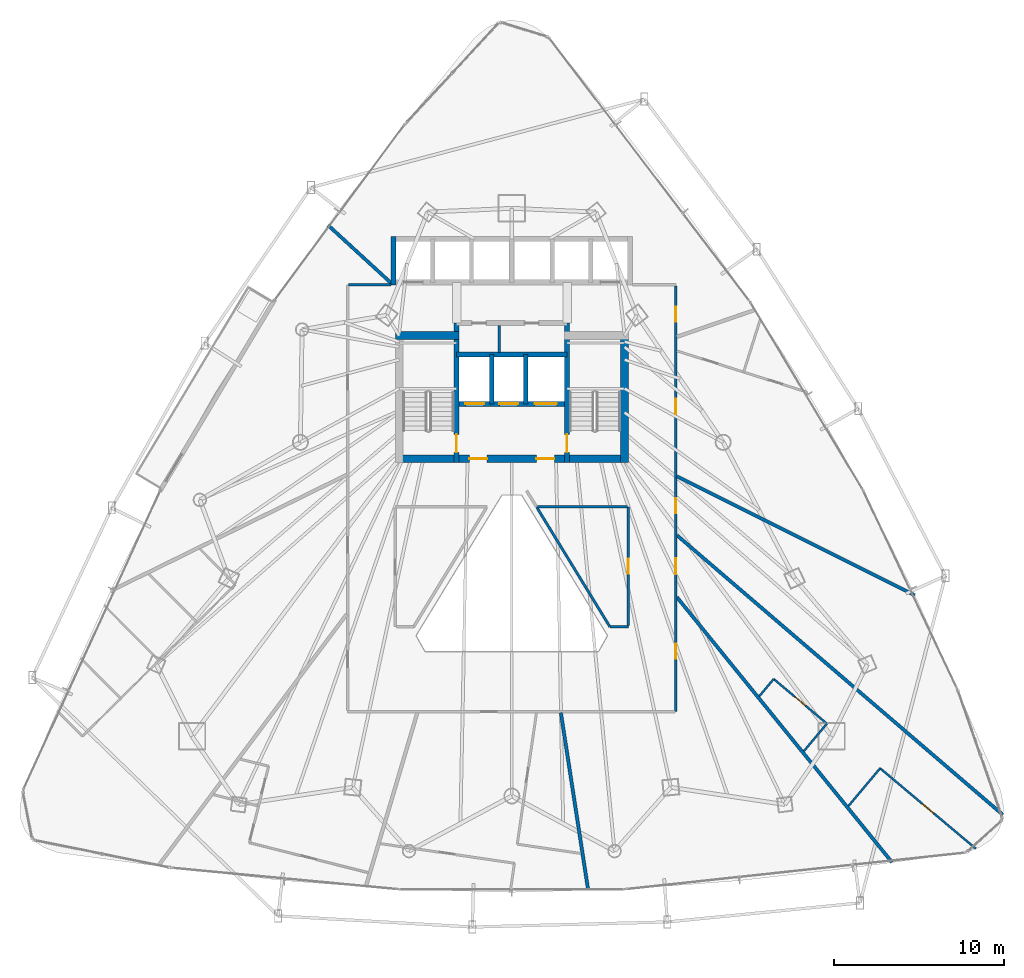
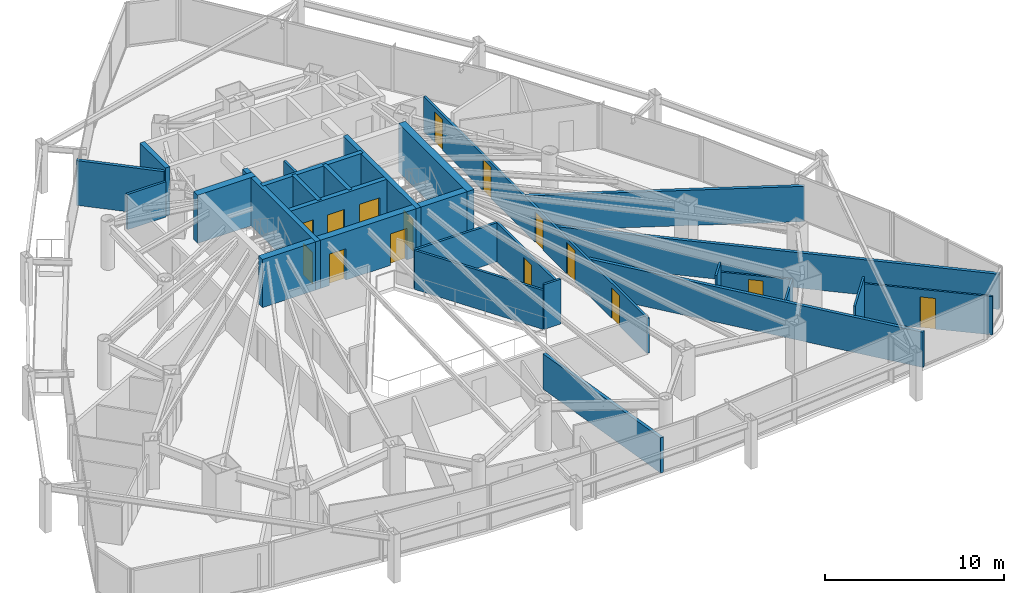
# One storey, part 30 of 35: 27 walls, 15 doors, 15 openings.
"""IFC4 building model written with IfcOpenShell, lengths in metres."""

from ifc_helpers import new_model, si_unit, direction, frame, frame_2d, origin, place, context, subcontext, project, spatial, rectangle, extrude, material, layer, layer_set, type_object, element, fill, save


model = new_model("IFC4")

# Units and contexts
model_context = context("Model", 3, precision=1e-05, world=origin(), true_north=direction((0.0, 1.0)))
body_context = subcontext(model_context, "Body", "Model", "MODEL_VIEW")
ifc_project = project(units=[si_unit("LENGTHUNIT", "METRE"), si_unit("AREAUNIT", "SQUARE_METRE"), si_unit("VOLUMEUNIT", "CUBIC_METRE"), si_unit("PLANEANGLEUNIT", "RADIAN"), si_unit("MASSUNIT", "GRAM", prefix="KILO")], contexts=[model_context])

# Site, building, storey
site_placement = place(None, origin())
site = spatial("IfcSite", under=ifc_project, at=site_placement, CompositionType="ELEMENT")
building_placement = place(site_placement, origin())
building = spatial("IfcBuilding", under=site, at=building_placement, Name="Orvanel Arch Residences", CompositionType="ELEMENT")
storey_placement = place(building_placement, frame((0.0, 0.0, 33.5)))
storey = spatial("IfcBuildingStorey", under=building, at=storey_placement, Name="L08", CompositionType="ELEMENT", Elevation=33.5)

# Walls
ifc_material_1 = material(Name="Concrete N50 (50 MPa)", Category="concrete")
ifc_layer_1 = layer(ifc_material_1, 0.25)
ifc_layer_set_1 = layer_set([ifc_layer_1], Name="Concrete N50 (50 MPa)")
wall_type_1 = type_object("IfcWallType", Name="SW-CORE-250", PredefinedType="SHEAR", material=ifc_layer_set_1)
for number, where, z_axis, x_axis, name in (
    (1, (31.824951171875, 29.89990234375, 0.0), (0.0, 0.0, 1.0), (0.0, 1.0, 0.0), "L08 Emergency Lift Inter-Shaft Wall F12"),
    (2, (33.824951171875, 29.89990234375, 0.0), (0.0, 0.0, 1.0), (0.0, 1.0, 0.0), "L08 Emergency Lift Inter-Shaft Wall F2G"),
):
    element("IfcWall", number, at=place(storey_placement, frame(where, z_axis=z_axis, x_axis=x_axis)), inside=storey, type_object=wall_type_1, Name=name, PredefinedType="SHEAR", context=body_context, shape_type="SweptSolid", body=[
        extrude(rectangle(XDim=2.900146484375, YDim=0.25, at=frame_2d((1.4501953125, 0.0))), origin(), (0.0, 0.0, 1.0), 3.300048828125),
    ])

# Wall, opening, door
ifc_material_2 = material(Name="Concrete S80 (80 MPa)", Category="concrete")
ifc_layer_2 = layer(ifc_material_2, 0.300048828125)
ifc_layer_set_2 = layer_set([ifc_layer_2], Name="Concrete S80 (80 MPa)")
wall_type_2 = type_object("IfcWallType", Name="SW-CORE-300", PredefinedType="SHEAR", material=ifc_layer_set_2)
wall_1_placement = place(storey_placement, frame((29.75, 26.449951171875, 0.0), z_axis=(0.0, 0.0, 1.0), x_axis=(0.0, 1.0, 0.0)))
wall_1 = element("IfcWall", 3, at=wall_1_placement, inside=storey, type_object=wall_type_2, Name="L08 West Inner Core Spine Shear Wall", PredefinedType="SHEAR", context=body_context, shape_type="SweptSolid", body=[
    extrude(rectangle(XDim=8.199951171875, YDim=0.300048828125, at=frame_2d((4.10009765625, 0.0))), origin(), (0.0, 0.0, 1.0), 3.300048828125),
])
opening_1_placement = place(wall_1_placement, frame((0.60009765625, 0.0, 0.0)))
opening_1 = element("IfcOpeningElement", 4, at=opening_1_placement, cuts=wall_1, Name="Opening DF-120", PredefinedType="OPENING", context=body_context, shape_type="SweptSolid", body=[
    extrude(rectangle(XDim=1.050048828125, YDim=2.14990234375, at=frame_2d((0.52490234375, 1.074951171875))), frame((0.0, 0.159912109375, 0.0), z_axis=(0.0, -1.0, 0.0), x_axis=(1.0, 0.0, 0.0)), (0.0, 0.0, 1.0), 0.320068359375),
])
ifc_material_3 = material(Name="Galvanised steel fire-resisting door assembly", Category="steel")
door_type_1 = type_object("IfcDoorType", Name="DR-FD120-1050", OperationType="NOTDEFINED", PredefinedType="DOOR", material=ifc_material_3)
door_1_placement = place(opening_1_placement, origin())
door_1 = element("IfcDoor", 5, at=door_1_placement, inside=storey, type_object=door_type_1, Name="DR-L08-ST1 L08 Stair 1 Fire Door", OperationType="SINGLE_SWING_LEFT", OverallHeight=2.14990234375, OverallWidth=1.050048828125, PredefinedType="DOOR", context=body_context, shape_type="SweptSolid", body=[
    extrude(rectangle(XDim=1.050048828125, YDim=2.14990234375, at=frame_2d((0.52490234375, 1.074951171875))), frame((0.0, 0.02490234375, 0.0), z_axis=(0.0, -1.0, 0.0), x_axis=(1.0, 0.0, 0.0)), (0.0, 0.0, 1.0), 0.050048828125),
])
fill(opening_1, door_1)

wall_2_placement = place(storey_placement, frame((36.25, 26.449951171875, 0.0), z_axis=(0.0, 0.0, 1.0), x_axis=(0.0, 1.0, 0.0)))
wall_2 = element("IfcWall", 6, at=wall_2_placement, inside=storey, type_object=wall_type_2, Name="L08 East Inner Core Spine Shear Wall", PredefinedType="SHEAR", context=body_context, shape_type="SweptSolid", body=[
    extrude(rectangle(XDim=8.199951171875, YDim=0.300048828125, at=frame_2d((4.10009765625, 0.0))), origin(), (0.0, 0.0, 1.0), 3.300048828125),
])
opening_2_placement = place(wall_2_placement, frame((0.60009765625, 0.0, 0.0)))
opening_2 = element("IfcOpeningElement", 7, at=opening_2_placement, cuts=wall_2, Name="Opening DF-120", PredefinedType="OPENING", context=body_context, shape_type="SweptSolid", body=[
    extrude(rectangle(XDim=1.050048828125, YDim=2.14990234375, at=frame_2d((0.52490234375, 1.074951171875))), frame((0.0, 0.159912109375, 0.0), z_axis=(0.0, -1.0, 0.0), x_axis=(1.0, 0.0, 0.0)), (0.0, 0.0, 1.0), 0.320068359375),
])
door_2_placement = place(opening_2_placement, origin())
door_2 = element("IfcDoor", 8, at=door_2_placement, inside=storey, type_object=door_type_1, Name="DR-L08-ST2 L08 Stair 2 Fire Door", OperationType="SINGLE_SWING_RIGHT", OverallHeight=2.14990234375, OverallWidth=1.050048828125, PredefinedType="DOOR", context=body_context, shape_type="SweptSolid", body=[
    extrude(rectangle(XDim=1.050048828125, YDim=2.14990234375, at=frame_2d((0.52490234375, 1.074951171875))), frame((0.0, 0.02490234375, 0.0), z_axis=(0.0, -1.0, 0.0), x_axis=(1.0, 0.0, 0.0)), (0.0, 0.0, 1.0), 0.050048828125),
])
fill(opening_2, door_2)

# Wall, openings, doors
wall_3_placement = place(storey_placement, frame((36.25, 29.89990234375, 0.0), z_axis=(0.0, 0.0, 1.0), x_axis=(-1.0, 0.0, 0.0)))
wall_3 = element("IfcWall", 9, at=wall_3_placement, inside=storey, type_object=wall_type_2, Name="L08 Emergency Lift Front Core Shear Wall", PredefinedType="SHEAR", context=body_context, shape_type="SweptSolid", body=[
    extrude(rectangle(XDim=6.5, YDim=0.300048828125, at=frame_2d((3.25, 0.0))), origin(), (0.0, 0.0, 1.0), 3.300048828125),
])
opening_3_placement = place(wall_3_placement, frame((4.875, 0.0, 0.0)))
opening_3 = element("IfcOpeningElement", 10, at=opening_3_placement, cuts=wall_3, Name="Opening LD-110", PredefinedType="OPENING", context=body_context, shape_type="SweptSolid", body=[
    extrude(rectangle(XDim=1.10009765625, YDim=2.199951171875, at=frame_2d((0.550048828125, 1.10009765625))), frame((0.0, 0.159912109375, 0.0), z_axis=(0.0, -1.0, 0.0), x_axis=(1.0, 0.0, 0.0)), (0.0, 0.0, 1.0), 0.320068359375),
])
opening_4_placement = place(wall_3_placement, frame((2.875, 0.0, 0.0)))
opening_4 = element("IfcOpeningElement", 11, at=opening_4_placement, cuts=wall_3, Name="Opening LD-110", PredefinedType="OPENING", context=body_context, shape_type="SweptSolid", body=[
    extrude(rectangle(XDim=1.10009765625, YDim=2.199951171875, at=frame_2d((0.550048828125, 1.10009765625))), frame((0.0, 0.159912109375, 0.0), z_axis=(0.0, -1.0, 0.0), x_axis=(1.0, 0.0, 0.0)), (0.0, 0.0, 1.0), 0.320068359375),
])
opening_5_placement = place(wall_3_placement, frame((0.60009765625, 0.0, 0.0)))
opening_5 = element("IfcOpeningElement", 12, at=opening_5_placement, cuts=wall_3, Name="Opening LD-130", PredefinedType="OPENING", context=body_context, shape_type="SweptSolid", body=[
    extrude(rectangle(XDim=1.300048828125, YDim=2.199951171875, at=frame_2d((0.64990234375, 1.10009765625))), frame((0.0, 0.159912109375, 0.0), z_axis=(0.0, -1.0, 0.0), x_axis=(1.0, 0.0, 0.0)), (0.0, 0.0, 1.0), 0.320068359375),
])
door_type_2 = type_object("IfcDoorType", Name="DR-LFT-1100", OperationType="NOTDEFINED", PredefinedType="DOOR", material=ifc_material_3)
door_3_placement = place(opening_3_placement, origin())
door_3 = element("IfcDoor", 13, at=door_3_placement, inside=storey, type_object=door_type_2, Name="LD-F1-L08 L08 Lift F1 Sliding Landing Door", OperationType="DOUBLE_DOOR_SLIDING", OverallHeight=2.199951171875, OverallWidth=1.10009765625, PredefinedType="DOOR", context=body_context, shape_type="SweptSolid", body=[
    extrude(rectangle(XDim=1.10009765625, YDim=2.199951171875, at=frame_2d((0.550048828125, 1.10009765625))), frame((0.0, 0.02490234375, 0.0), z_axis=(0.0, -1.0, 0.0), x_axis=(1.0, 0.0, 0.0)), (0.0, 0.0, 1.0), 0.050048828125),
])
fill(opening_3, door_3)
door_4_placement = place(opening_4_placement, origin())
door_4 = element("IfcDoor", 14, at=door_4_placement, inside=storey, type_object=door_type_2, Name="LD-F2-L08 L08 Lift F2 Sliding Landing Door", OperationType="DOUBLE_DOOR_SLIDING", OverallHeight=2.199951171875, OverallWidth=1.10009765625, PredefinedType="DOOR", context=body_context, shape_type="SweptSolid", body=[
    extrude(rectangle(XDim=1.10009765625, YDim=2.199951171875, at=frame_2d((0.550048828125, 1.10009765625))), frame((0.0, 0.02490234375, 0.0), z_axis=(0.0, -1.0, 0.0), x_axis=(1.0, 0.0, 0.0)), (0.0, 0.0, 1.0), 0.050048828125),
])
fill(opening_4, door_4)
door_type_3 = type_object("IfcDoorType", Name="DR-LFT-1300", OperationType="NOTDEFINED", PredefinedType="DOOR", material=ifc_material_3)
door_5_placement = place(opening_5_placement, origin())
door_5 = element("IfcDoor", 15, at=door_5_placement, inside=storey, type_object=door_type_3, Name="LD-G1-L08 L08 Lift G1 Sliding Landing Door", OperationType="DOUBLE_DOOR_SLIDING", OverallHeight=2.199951171875, OverallWidth=1.300048828125, PredefinedType="DOOR", context=body_context, shape_type="SweptSolid", body=[
    extrude(rectangle(XDim=1.300048828125, YDim=2.199951171875, at=frame_2d((0.64990234375, 1.10009765625))), frame((0.0, 0.02490234375, 0.0), z_axis=(0.0, -1.0, 0.0), x_axis=(1.0, 0.0, 0.0)), (0.0, 0.0, 1.0), 0.050048828125),
])
fill(opening_5, door_5)

# Walls
wall_4_placement = place(storey_placement, frame((29.75, 32.800048828125, 0.0), z_axis=(0.0, 0.0, 1.0), x_axis=(1.0, 0.0, 0.0)))
element("IfcWall", 16, at=wall_4_placement, inside=storey, type_object=wall_type_2, Name="L08 Emergency Lift Back Core Shear Wall", PredefinedType="SHEAR", context=body_context, shape_type="SweptSolid", body=[
    extrude(rectangle(XDim=6.5, YDim=0.300048828125, at=frame_2d((3.25, 0.0))), origin(), (0.0, 0.0, 1.0), 3.300048828125),
])
wall_5_placement = place(storey_placement, frame((26.050048828125, 36.89990234375, 0.0), z_axis=(0.0, 0.0, 1.0), x_axis=(0.0, 1.0, 0.0)))
element("IfcWall", 17, at=wall_5_placement, inside=storey, type_object=wall_type_2, Name="L08 Passenger Lift Bank West Shear Wall", PredefinedType="SHEAR", context=body_context, shape_type="SweptSolid", body=[
    extrude(rectangle(XDim=2.85009765625, YDim=0.300048828125, at=frame_2d((1.425048828125, 0.0))), origin(), (0.0, 0.0, 1.0), 3.300048828125),
])

# Wall, openings, doors
ifc_layer_3 = layer(ifc_material_2, 0.449951171875)
ifc_layer_set_3 = layer_set([ifc_layer_3], Name="Concrete S80 (80 MPa)")
wall_type_3 = type_object("IfcWallType", Name="SW-CORE-450", PredefinedType="SHEAR", material=ifc_layer_set_3)
wall_6_placement = place(storey_placement, frame((26.14990234375, 26.675048828125, 0.0), z_axis=(0.0, 0.0, 1.0), x_axis=(1.0, 0.0, 0.0)))
wall_6 = element("IfcWall", 18, at=wall_6_placement, inside=storey, type_object=wall_type_3, Name="L08 South Core Shear Wall", PredefinedType="SHEAR", context=body_context, shape_type="SweptSolid", body=[
    extrude(rectangle(XDim=13.7001953125, YDim=0.449951171875, at=frame_2d((6.85009765625, 0.0))), origin(), (0.0, 0.0, 1.0), 3.300048828125),
])
opening_6_placement = place(wall_6_placement, frame((4.35009765625, 0.0, 0.0)))
opening_6 = element("IfcOpeningElement", 19, at=opening_6_placement, cuts=wall_6, Name="Opening DF-060", PredefinedType="OPENING", context=body_context, shape_type="SweptSolid", body=[
    extrude(rectangle(XDim=1.050048828125, YDim=2.14990234375, at=frame_2d((0.52490234375, 1.074951171875))), frame((0.0, 0.23486328125, 0.0), z_axis=(0.0, -1.0, 0.0), x_axis=(1.0, 0.0, 0.0)), (0.0, 0.0, 1.0), 0.469970703125),
])
opening_7_placement = place(wall_6_placement, frame((8.300048828125, 0.0, 0.0)))
opening_7 = element("IfcOpeningElement", 20, at=opening_7_placement, cuts=wall_6, Name="Opening DF-060", PredefinedType="OPENING", context=body_context, shape_type="SweptSolid", body=[
    extrude(rectangle(XDim=1.050048828125, YDim=2.14990234375, at=frame_2d((0.52490234375, 1.074951171875))), frame((0.0, 0.23486328125, 0.0), z_axis=(0.0, -1.0, 0.0), x_axis=(1.0, 0.0, 0.0)), (0.0, 0.0, 1.0), 0.469970703125),
])
door_type_4 = type_object("IfcDoorType", Name="DR-FD60-1050", OperationType="NOTDEFINED", PredefinedType="DOOR", material=ifc_material_3)
door_6_placement = place(opening_6_placement, origin())
door_6 = element("IfcDoor", 21, at=door_6_placement, inside=storey, type_object=door_type_4, Name="DR-L08-FFL-W L08 West Smoke Lobby Door", OperationType="SINGLE_SWING_LEFT", OverallHeight=2.14990234375, OverallWidth=1.050048828125, PredefinedType="DOOR", context=body_context, shape_type="SweptSolid", body=[
    extrude(rectangle(XDim=1.050048828125, YDim=2.14990234375, at=frame_2d((0.52490234375, 1.074951171875))), frame((0.0, 0.02490234375, 0.0), z_axis=(0.0, -1.0, 0.0), x_axis=(1.0, 0.0, 0.0)), (0.0, 0.0, 1.0), 0.050048828125),
])
fill(opening_6, door_6)
door_7_placement = place(opening_7_placement, origin())
door_7 = element("IfcDoor", 22, at=door_7_placement, inside=storey, type_object=door_type_4, Name="DR-L08-FFL-E L08 East Smoke Lobby Door", OperationType="SINGLE_SWING_RIGHT", OverallHeight=2.14990234375, OverallWidth=1.050048828125, PredefinedType="DOOR", context=body_context, shape_type="SweptSolid", body=[
    extrude(rectangle(XDim=1.050048828125, YDim=2.14990234375, at=frame_2d((0.52490234375, 1.074951171875))), frame((0.0, 0.02490234375, 0.0), z_axis=(0.0, -1.0, 0.0), x_axis=(1.0, 0.0, 0.0)), (0.0, 0.0, 1.0), 0.050048828125),
])
fill(opening_7, door_7)

# Walls
wall_7_placement = place(storey_placement, frame((26.14990234375, 33.925048828125, 0.0), z_axis=(0.0, 0.0, 1.0), x_axis=(1.0, 0.0, 0.0)))
element("IfcWall", 23, at=wall_7_placement, inside=storey, type_object=wall_type_3, Name="L08 West Stair North Shear Wall", PredefinedType="SHEAR", context=body_context, shape_type="SweptSolid", body=[
    extrude(rectangle(XDim=3.75, YDim=0.449951171875, at=frame_2d((1.875, 0.0))), origin(), (0.0, 0.0, 1.0), 3.300048828125),
])
wall_8_placement = place(storey_placement, frame((39.625, 26.449951171875, 0.0), z_axis=(0.0, 0.0, 1.0), x_axis=(0.0, 1.0, 0.0)))
element("IfcWall", 24, at=wall_8_placement, inside=storey, type_object=wall_type_3, Name="L08 East Stair Shear Wall", PredefinedType="SHEAR", context=body_context, shape_type="SweptSolid", body=[
    extrude(rectangle(XDim=7.699951171875, YDim=0.449951171875, at=frame_2d((3.85009765625, 0.0))), origin(), (0.0, 0.0, 1.0), 3.300048828125),
])

# Wall, openings, doors
ifc_material_4 = material(Name="Fire-rated plasterboard lined steel stud partition", Category="steel")
ifc_layer_4 = layer(ifc_material_4, 0.14990234375)
ifc_layer_set_4 = layer_set([ifc_layer_4], Name="Fire-rated plasterboard lined steel stud partition")
wall_type_4 = type_object("IfcWallType", Name="W-COR-150", PredefinedType="PARTITIONING", material=ifc_layer_set_4)
wall_9_placement = place(storey_placement, frame((42.64990234375, 36.840087890625, 0.0), z_axis=(0.0, 0.0, 1.0), x_axis=(0.0, -1.0, 0.0)))
wall_9 = element("IfcWall", 25, at=wall_9_placement, inside=storey, type_object=wall_type_4, Name="L08 Corridor Fire-Rated Partition", PredefinedType="PARTITIONING", context=body_context, shape_type="SweptSolid", body=[
    extrude(rectangle(XDim=25.0400390625, YDim=0.14990234375, at=frame_2d((12.52001953125, 0.0))), origin(), (0.0, 0.0, 1.0), 2.4130859375),
])
opening_8_placement = place(wall_9_placement, frame((1.218994140625, 0.0, 0.0)))
opening_8 = element("IfcOpeningElement", 26, at=opening_8_placement, cuts=wall_9, Name="Opening DI-088", PredefinedType="OPENING", context=body_context, shape_type="SweptSolid", body=[
    extrude(rectangle(XDim=0.8798828125, YDim=2.10009765625, at=frame_2d((0.43994140625, 1.050048828125))), frame((0.0, 0.0849609375, 0.0), z_axis=(0.0, -1.0, 0.0), x_axis=(1.0, 0.0, 0.0)), (0.0, 0.0, 1.0), 0.169921875),
])
opening_9_placement = place(wall_9_placement, frame((21.047119140625, 0.0, 0.0)))
opening_9 = element("IfcOpeningElement", 27, at=opening_9_placement, cuts=wall_9, Name="Opening DI-088", PredefinedType="OPENING", context=body_context, shape_type="SweptSolid", body=[
    extrude(rectangle(XDim=0.8798828125, YDim=2.10009765625, at=frame_2d((0.43994140625, 1.050048828125))), frame((0.0, 0.0849609375, 0.0), z_axis=(0.0, -1.0, 0.0), x_axis=(1.0, 0.0, 0.0)), (0.0, 0.0, 1.0), 0.169921875),
])
opening_10_placement = place(wall_9_placement, frame((16.029052734375, 0.0, 0.0)))
opening_10 = element("IfcOpeningElement", 28, at=opening_10_placement, cuts=wall_9, Name="Opening DA-092", PredefinedType="OPENING", context=body_context, shape_type="SweptSolid", body=[
    extrude(rectangle(XDim=0.919921875, YDim=2.14990234375, at=frame_2d((0.4599609375, 1.074951171875))), frame((0.0, 0.0849609375, 0.0), z_axis=(0.0, -1.0, 0.0), x_axis=(1.0, 0.0, 0.0)), (0.0, 0.0, 1.0), 0.169921875),
])
opening_11_placement = place(wall_9_placement, frame((12.486083984375, 0.0, 0.0)))
opening_11 = element("IfcOpeningElement", 29, at=opening_11_placement, cuts=wall_9, Name="Opening DI-088", PredefinedType="OPENING", context=body_context, shape_type="SweptSolid", body=[
    extrude(rectangle(XDim=0.8798828125, YDim=2.10009765625, at=frame_2d((0.43994140625, 1.050048828125))), frame((0.0, 0.0849609375, 0.0), z_axis=(0.0, -1.0, 0.0), x_axis=(1.0, 0.0, 0.0)), (0.0, 0.0, 1.0), 0.169921875),
])
opening_12_placement = place(wall_9_placement, frame((6.637939453125, 0.0, 0.0)))
opening_12 = element("IfcOpeningElement", 30, at=opening_12_placement, cuts=wall_9, Name="Opening DA-092", PredefinedType="OPENING", context=body_context, shape_type="SweptSolid", body=[
    extrude(rectangle(XDim=0.919921875, YDim=2.14990234375, at=frame_2d((0.4599609375, 1.074951171875))), frame((0.0, 0.0849609375, 0.0), z_axis=(0.0, -1.0, 0.0), x_axis=(1.0, 0.0, 0.0)), (0.0, 0.0, 1.0), 0.169921875),
])
ifc_material_5 = material(Name="Solid-core European oak veneer fire door leaf", Category="wood")
door_type_5 = type_object("IfcDoorType", Name="DR-APT-920", OperationType="NOTDEFINED", PredefinedType="DOOR", material=ifc_material_5)
door_8_placement = place(opening_10_placement, origin())
door_8 = element("IfcDoor", 31, at=door_8_placement, inside=storey, type_object=door_type_5, Name="DR-L08-G-ENT L08 Studio G Entrance Door", OperationType="SINGLE_SWING_RIGHT", OverallHeight=2.14990234375, OverallWidth=0.919921875, PredefinedType="DOOR", context=body_context, shape_type="SweptSolid", body=[
    extrude(rectangle(XDim=0.919921875, YDim=2.14990234375, at=frame_2d((0.4599609375, 1.074951171875))), frame((0.0, 0.02490234375, 0.0), z_axis=(0.0, -1.0, 0.0), x_axis=(1.0, 0.0, 0.0)), (0.0, 0.0, 1.0), 0.050048828125),
])
fill(opening_10, door_8)
door_9_placement = place(opening_12_placement, origin())
door_9 = element("IfcDoor", 32, at=door_9_placement, inside=storey, type_object=door_type_5, Name="DR-L08-I-ENT L08 Studio I Entrance Door", OperationType="SINGLE_SWING_RIGHT", OverallHeight=2.14990234375, OverallWidth=0.919921875, PredefinedType="DOOR", context=body_context, shape_type="SweptSolid", body=[
    extrude(rectangle(XDim=0.919921875, YDim=2.14990234375, at=frame_2d((0.4599609375, 1.074951171875))), frame((0.0, 0.02490234375, 0.0), z_axis=(0.0, -1.0, 0.0), x_axis=(1.0, 0.0, 0.0)), (0.0, 0.0, 1.0), 0.050048828125),
])
fill(opening_12, door_9)
door_type_6 = type_object("IfcDoorType", Name="DR-INT-880", OperationType="NOTDEFINED", PredefinedType="DOOR", material=ifc_material_5)
door_10_placement = place(opening_8_placement, origin())
door_10 = element("IfcDoor", 33, at=door_10_placement, inside=storey, type_object=door_type_6, Name="DR-L08-SHRD-FB2 L08 Co-Working Study Office B Door", OperationType="SINGLE_SWING_LEFT", OverallHeight=2.10009765625, OverallWidth=0.8798828125, PredefinedType="DOOR", context=body_context, shape_type="SweptSolid", body=[
    extrude(rectangle(XDim=0.8798828125, YDim=2.10009765625, at=frame_2d((0.43994140625, 1.050048828125))), frame((0.0, 0.02490234375, 0.0), z_axis=(0.0, -1.0, 0.0), x_axis=(1.0, 0.0, 0.0)), (0.0, 0.0, 1.0), 0.050048828125),
])
fill(opening_8, door_10)
door_11_placement = place(opening_9_placement, origin())
door_11 = element("IfcDoor", 34, at=door_11_placement, inside=storey, type_object=door_type_6, Name="DR-L08-SHRD-FB3 L08 Co-Working Study Office C Door", OperationType="SINGLE_SWING_LEFT", OverallHeight=2.10009765625, OverallWidth=0.8798828125, PredefinedType="DOOR", context=body_context, shape_type="SweptSolid", body=[
    extrude(rectangle(XDim=0.8798828125, YDim=2.10009765625, at=frame_2d((0.43994140625, 1.050048828125))), frame((0.0, 0.02490234375, 0.0), z_axis=(0.0, -1.0, 0.0), x_axis=(1.0, 0.0, 0.0)), (0.0, 0.0, 1.0), 0.050048828125),
])
fill(opening_9, door_11)
door_12_placement = place(opening_11_placement, origin())
door_12 = element("IfcDoor", 35, at=door_12_placement, inside=storey, type_object=door_type_6, Name="DR-L08-SHRD-FB8 L08 Co-Working Study Office H Door", OperationType="SINGLE_SWING_LEFT", OverallHeight=2.10009765625, OverallWidth=0.8798828125, PredefinedType="DOOR", context=body_context, shape_type="SweptSolid", body=[
    extrude(rectangle(XDim=0.8798828125, YDim=2.10009765625, at=frame_2d((0.43994140625, 1.050048828125))), frame((0.0, 0.02490234375, 0.0), z_axis=(0.0, -1.0, 0.0), x_axis=(1.0, 0.0, 0.0)), (0.0, 0.0, 1.0), 0.050048828125),
])
fill(opening_11, door_12)

# Walls
wall_10_placement = place(storey_placement, frame((23.409912109375, 36.89990234375, 0.0), z_axis=(0.0, 0.0, 1.0), x_axis=(1.0, 0.0, 0.0)))
element("IfcWall", 36, at=wall_10_placement, inside=storey, type_object=wall_type_4, Name="L08 Corridor Fire-Rated Partition", PredefinedType="PARTITIONING", context=body_context, shape_type="SweptSolid", body=[
    extrude(rectangle(XDim=2.489990234375, YDim=0.14990234375, at=frame_2d((1.2451171875, 0.0))), origin(), (0.0, 0.0, 1.0), 2.4130859375),
])
wall_11_placement = place(storey_placement, frame((38.763916015625, 16.800048828125, 0.0), z_axis=(0.0, 0.0, 1.0), x_axis=(1.0, 0.0, 0.0)))
element("IfcWall", 37, at=wall_11_placement, inside=storey, type_object=wall_type_4, Name="L08 Corridor Fire-Rated Partition", PredefinedType="PARTITIONING", context=body_context, shape_type="SweptSolid", body=[
    extrude(rectangle(XDim=1.086181640625, YDim=0.14990234375, at=frame_2d((0.54296875, 0.0))), origin(), (0.0, 0.0, 1.0), 3.06005859375),
])

# Wall, opening, door
wall_12_placement = place(storey_placement, frame((39.85009765625, 16.860107421875, 0.0), z_axis=(0.0, 0.0, 1.0), x_axis=(0.0, 1.0, 0.0)))
wall_12 = element("IfcWall", 38, at=wall_12_placement, inside=storey, type_object=wall_type_4, Name="L08 Corridor Fire-Rated Partition", PredefinedType="PARTITIONING", context=body_context, shape_type="SweptSolid", body=[
    extrude(rectangle(XDim=6.989990234375, YDim=0.14990234375, at=frame_2d((3.4951171875, 0.0))), origin(), (0.0, 0.0, 1.0), 2.6689453125),
])
opening_13_placement = place(wall_12_placement, frame((3.054931640625, 0.0, 0.0)))
opening_13 = element("IfcOpeningElement", 39, at=opening_13_placement, cuts=wall_12, Name="Opening DI-088", PredefinedType="OPENING", context=body_context, shape_type="SweptSolid", body=[
    extrude(rectangle(XDim=0.8798828125, YDim=2.10009765625, at=frame_2d((0.43994140625, 1.050048828125))), frame((0.0, 0.0849609375, 0.0), z_axis=(0.0, -1.0, 0.0), x_axis=(1.0, 0.0, 0.0)), (0.0, 0.0, 1.0), 0.169921875),
])
door_13_placement = place(opening_13_placement, origin())
door_13 = element("IfcDoor", 40, at=door_13_placement, inside=storey, type_object=door_type_6, Name="DR-L08-SHRD-FB11 L08 Co-Working Study Office K Door", OperationType="SINGLE_SWING_LEFT", OverallHeight=2.10009765625, OverallWidth=0.8798828125, PredefinedType="DOOR", context=body_context, shape_type="SweptSolid", body=[
    extrude(rectangle(XDim=0.8798828125, YDim=2.10009765625, at=frame_2d((0.43994140625, 1.050048828125))), frame((0.0, 0.02490234375, 0.0), z_axis=(0.0, -1.0, 0.0), x_axis=(1.0, 0.0, 0.0)), (0.0, 0.0, 1.0), 0.050048828125),
])
fill(opening_13, door_13)

# Walls
wall_13_placement = place(storey_placement, frame((39.7900390625, 23.85009765625, 0.0), z_axis=(0.0, 0.0, 1.0), x_axis=(-1.0, 0.0, 0.0)))
element("IfcWall", 41, at=wall_13_placement, inside=storey, type_object=wall_type_4, Name="L08 Corridor Fire-Rated Partition", PredefinedType="PARTITIONING", context=body_context, shape_type="SweptSolid", body=[
    extrude(rectangle(XDim=5.3349609375, YDim=0.14990234375, at=frame_2d((2.66748046875, 0.0))), origin(), (0.0, 0.0, 1.0), 2.6689453125),
])
wall_14_placement = place(storey_placement, frame((34.486083984375, 23.7900390625, 0.0), z_axis=(0.0, 0.0, 1.0), x_axis=(0.521998190399, -0.852946592244, 0.0)))
element("IfcWall", 42, at=wall_14_placement, inside=storey, type_object=wall_type_4, Name="L08 Atrium Overlook Glazed Partition", PredefinedType="PARTITIONING", context=body_context, shape_type="SweptSolid", body=[
    extrude(rectangle(XDim=8.195068359375, YDim=0.14990234375, at=frame_2d((4.09765625, 0.0))), origin(), (0.0, 0.0, 1.0), 2.6689453125),
])
ifc_layer_5 = layer(ifc_material_4, 0.199951171875)
ifc_layer_set_5 = layer_set([ifc_layer_5], Name="Fire-rated plasterboard lined steel stud partition")
wall_type_5 = type_object("IfcWallType", Name="W-DEM-200", PredefinedType="PARTITIONING", material=ifc_layer_set_5)
wall_15_placement = place(storey_placement, frame((25.89990234375, 37.010009765625, 0.0), z_axis=(0.0, 0.0, 1.0), x_axis=(-0.737010798249, 0.675880968266, 0.0)))
element("IfcWall", 43, at=wall_15_placement, inside=storey, type_object=wall_type_5, Name="L08 Inter-Tenancy Acoustic Demising Wall", PredefinedType="PARTITIONING", context=body_context, shape_type="SweptSolid", body=[
    extrude(rectangle(XDim=5.020263671875, YDim=0.199951171875, at=frame_2d((2.51025390625, 0.0))), origin(), (0.0, 0.0, 1.0), 3.06005859375),
])
wall_16_placement = place(storey_placement, frame((37.490966796875, 1.31298828125, 0.0), z_axis=(0.0, 0.0, 1.0), x_axis=(-0.152133698634, 0.988359923176, 0.0)))
element("IfcWall", 44, at=wall_16_placement, inside=storey, type_object=wall_type_5, Name="L08 Inter-Tenancy Acoustic Demising Wall", PredefinedType="PARTITIONING", context=body_context, shape_type="SweptSolid", body=[
    extrude(rectangle(XDim=10.5498046875, YDim=0.199951171875, at=frame_2d((5.27490234375, 0.0))), origin(), (0.0, 0.0, 1.0), 2.4130859375),
])
wall_17_placement = place(storey_placement, frame((42.7099609375, 18.532958984375, 0.0), z_axis=(0.0, 0.0, 1.0), x_axis=(0.630093983448, -0.776518880661, 0.0)))
element("IfcWall", 45, at=wall_17_placement, inside=storey, type_object=wall_type_5, Name="L08 Inter-Tenancy Acoustic Demising Wall", PredefinedType="PARTITIONING", context=body_context, shape_type="SweptSolid", body=[
    extrude(rectangle(XDim=20.078125, YDim=0.199951171875, at=frame_2d((10.0390625, 0.0))), origin(), (0.0, 0.0, 1.0), 2.4130859375),
])
wall_18_placement = place(storey_placement, frame((42.7099609375, 22.173095703125, 0.0), z_axis=(0.0, 0.0, 1.0), x_axis=(0.759115981911, -0.650955394791, 0.0)))
element("IfcWall", 46, at=wall_18_placement, inside=storey, type_object=wall_type_5, Name="L08 Inter-Tenancy Acoustic Demising Wall", PredefinedType="PARTITIONING", context=body_context, shape_type="SweptSolid", body=[
    extrude(rectangle(XDim=25.2490234375, YDim=0.199951171875, at=frame_2d((12.62451171875, 0.0))), origin(), (0.0, 0.0, 1.0), 2.4130859375),
])
wall_19_placement = place(storey_placement, frame((42.7099609375, 25.64404296875, 0.0), z_axis=(0.0, 0.0, 1.0), x_axis=(0.894389742198, -0.447288485265, 0.0)))
element("IfcWall", 47, at=wall_19_placement, inside=storey, type_object=wall_type_5, Name="L08 Inter-Tenancy Acoustic Demising Wall", PredefinedType="PARTITIONING", context=body_context, shape_type="SweptSolid", body=[
    extrude(rectangle(XDim=15.647705078125, YDim=0.199951171875, at=frame_2d((7.82373046875, 0.0))), origin(), (0.0, 0.0, 1.0), 2.4130859375),
])
ifc_layer_6 = layer(ifc_material_4, 0.14990234375)
ifc_layer_set_6 = layer_set([ifc_layer_6], Name="Fire-rated plasterboard lined steel stud partition")
wall_type_6 = type_object("IfcWallType", Name="W-ST-150", PredefinedType="PARTITIONING", material=ifc_layer_set_6)
wall_20_placement = place(storey_placement, frame((32.25, 32.93505859375, 0.0), z_axis=(0.0, 0.0, 1.0), x_axis=(0.0, 1.0, 0.0)))
element("IfcWall", 48, at=wall_20_placement, inside=storey, type_object=wall_type_6, Name="L08 Core Service Partition 1", PredefinedType="PARTITIONING", context=body_context, shape_type="SweptSolid", body=[
    extrude(rectangle(XDim=1.579833984375, YDim=0.14990234375, at=frame_2d((0.7900390625, 0.0))), origin(), (0.0, 0.0, 1.0), 3.06005859375),
])
ifc_material_6 = material(Name="Acoustic plasterboard lined twin-stud partition", Category="gypsum")
ifc_layer_7 = layer(ifc_material_6, 0.1201171875)
ifc_layer_set_7 = layer_set([ifc_layer_7], Name="Acoustic plasterboard lined twin-stud partition")
wall_type_7 = type_object("IfcWallType", Name="W-WET-120", PredefinedType="PARTITIONING", material=ifc_layer_set_7)
wall_21_placement = place(storey_placement, frame((50.1689453125, 9.47607421875, 0.0), z_axis=(0.0, 0.0, 1.0), x_axis=(0.642802339764, 0.766032082875, 0.0)))
element("IfcWall", 49, at=wall_21_placement, inside=storey, type_object=wall_type_7, Name="L08 Studio G Bathroom Partition", PredefinedType="PARTITIONING", context=body_context, shape_type="SweptSolid", body=[
    extrude(rectangle(XDim=2.115966796875, YDim=0.1201171875, at=frame_2d((1.05810546875, 0.0))), origin(), (0.0, 0.0, 1.0), 2.4130859375),
])

# Wall, opening, door
wall_22_placement = place(storey_placement, frame((51.529052734375, 11.096923828125, 0.0), z_axis=(0.0, 0.0, 1.0), x_axis=(-0.766026296222, 0.642809235696, 0.0)))
wall_22 = element("IfcWall", 50, at=wall_22_placement, inside=storey, type_object=wall_type_7, Name="L08 Studio G Bathroom Partition", PredefinedType="PARTITIONING", context=body_context, shape_type="SweptSolid", body=[
    extrude(rectangle(XDim=4.083740234375, YDim=0.1201171875, at=frame_2d((2.0419921875, 0.0))), origin(), (0.0, 0.0, 1.0), 2.4130859375),
])
opening_14_placement = place(wall_22_placement, frame((1.632080078125, 0.0, 0.0)))
opening_14 = element("IfcOpeningElement", 51, at=opening_14_placement, cuts=wall_22, Name="Opening DW-082", PredefinedType="OPENING", context=body_context, shape_type="SweptSolid", body=[
    extrude(rectangle(XDim=0.820068359375, YDim=2.10009765625, at=frame_2d((0.41015625, 1.050048828125))), frame((0.0, 0.070068359375, 0.0), z_axis=(0.0, -1.0, 0.0), x_axis=(1.0, 0.0, 0.0)), (0.0, 0.0, 1.0), 0.14013671875),
])
door_type_7 = type_object("IfcDoorType", Name="DR-WET-820", OperationType="NOTDEFINED", PredefinedType="DOOR", material=ifc_material_5)
door_14_placement = place(opening_14_placement, origin())
door_14 = element("IfcDoor", 52, at=door_14_placement, inside=storey, type_object=door_type_7, Name="DR-L08-G-BATH L08 Studio G Bathroom Door", OperationType="SINGLE_SWING_RIGHT", OverallHeight=2.10009765625, OverallWidth=0.820068359375, PredefinedType="DOOR", context=body_context, shape_type="SweptSolid", body=[
    extrude(rectangle(XDim=0.820068359375, YDim=2.10009765625, at=frame_2d((0.41015625, 1.050048828125))), frame((0.0, 0.02490234375, 0.0), z_axis=(0.0, -1.0, 0.0), x_axis=(1.0, 0.0, 0.0)), (0.0, 0.0, 1.0), 0.050048828125),
])
fill(opening_14, door_14)

# Wall
wall_23_placement = place(storey_placement, frame((48.40087890625, 13.721923828125, 0.0), z_axis=(0.0, 0.0, 1.0), x_axis=(-0.642587875402, -0.76621199572, 0.0)))
element("IfcWall", 53, at=wall_23_placement, inside=storey, type_object=wall_type_7, Name="L08 Studio G Bathroom Partition", PredefinedType="PARTITIONING", context=body_context, shape_type="SweptSolid", body=[
    extrude(rectangle(XDim=1.3271484375, YDim=0.1201171875, at=frame_2d((0.66357421875, 0.0))), origin(), (0.0, 0.0, 1.0), 3.06005859375),
])

# Wall, opening, door
wall_24_placement = place(storey_placement, frame((60.287109375, 3.7451171875, 0.0), z_axis=(0.0, 0.0, 1.0), x_axis=(-0.765937745649, 0.642914745351, 0.0)))
wall_24 = element("IfcWall", 54, at=wall_24_placement, inside=storey, type_object=wall_type_7, Name="L08 Studio G Internal Partition", PredefinedType="PARTITIONING", context=body_context, shape_type="SweptSolid", body=[
    extrude(rectangle(XDim=7.3505859375, YDim=0.1201171875, at=frame_2d((3.67529296875, 0.0))), origin(), (0.0, 0.0, 1.0), 2.618896484375),
])
opening_15_placement = place(wall_24_placement, frame((3.235107421875, 0.0, 0.0)))
opening_15 = element("IfcOpeningElement", 55, at=opening_15_placement, cuts=wall_24, Name="Opening DI-088", PredefinedType="OPENING", context=body_context, shape_type="SweptSolid", body=[
    extrude(rectangle(XDim=0.8798828125, YDim=2.10009765625, at=frame_2d((0.43994140625, 1.050048828125))), frame((0.0, 0.070068359375, 0.0), z_axis=(0.0, -1.0, 0.0), x_axis=(1.0, 0.0, 0.0)), (0.0, 0.0, 1.0), 0.14013671875),
])
door_15_placement = place(opening_15_placement, origin())
door_15 = element("IfcDoor", 56, at=door_15_placement, inside=storey, type_object=door_type_6, Name="DR-L08-G-KIT L08 Studio G Kitchenette Door", OperationType="SINGLE_SWING_LEFT", OverallHeight=2.10009765625, OverallWidth=0.8798828125, PredefinedType="DOOR", context=body_context, shape_type="SweptSolid", body=[
    extrude(rectangle(XDim=0.8798828125, YDim=2.10009765625, at=frame_2d((0.43994140625, 1.050048828125))), frame((0.0, 0.02490234375, 0.0), z_axis=(0.0, -1.0, 0.0), x_axis=(1.0, 0.0, 0.0)), (0.0, 0.0, 1.0), 0.050048828125),
])
fill(opening_15, door_15)

# Wall
wall_25_placement = place(storey_placement, frame((54.656982421875, 8.470947265625, 0.0), z_axis=(0.0, 0.0, 1.0), x_axis=(-0.6429989132, -0.765867088746, 0.0)))
element("IfcWall", 57, at=wall_25_placement, inside=storey, type_object=wall_type_7, Name="L08 Studio G Internal Partition", PredefinedType="PARTITIONING", context=body_context, shape_type="SweptSolid", body=[
    extrude(rectangle(XDim=2.905029296875, YDim=0.1201171875, at=frame_2d((1.45263671875, 0.0))), origin(), (0.0, 0.0, 1.0), 3.06005859375),
])

save(model, "model.ifc")
